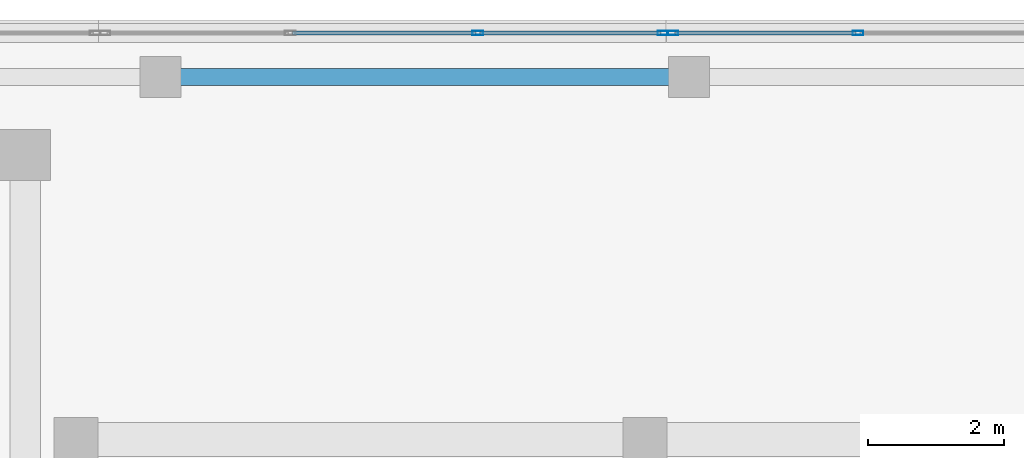
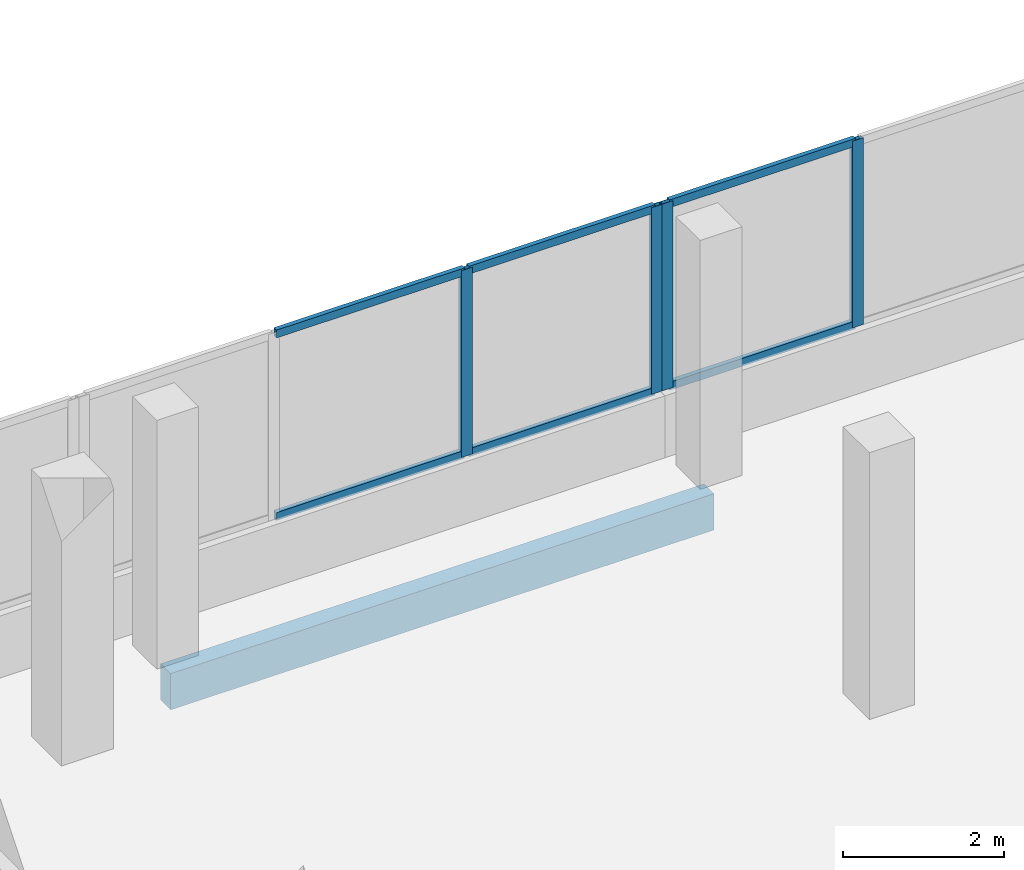
# One storey, part 54 of 78: 10 members, 1 beam, 2 elements without a shape of their own.
"""IFC4 building model written with IfcOpenShell, lengths in metres."""

from ifc_helpers import new_model, si_unit, direction, frame, origin, origin_2d, place, context, subcontext, project, spatial, rectangle, hollow_rectangle, extrude, material, material_profile, profile_set, type_object, element, aggregate, save


model = new_model("IFC4")

# Units and contexts
model_context = context("Model", 3, precision=1e-05, world=origin(), true_north=direction((0.0, 1.0)))
body_context = subcontext(model_context, "Body", "Model", "MODEL_VIEW")
ifc_project = project(units=[si_unit("LENGTHUNIT", "METRE"), si_unit("AREAUNIT", "SQUARE_METRE"), si_unit("VOLUMEUNIT", "CUBIC_METRE"), si_unit("PLANEANGLEUNIT", "RADIAN"), si_unit("MASSUNIT", "GRAM", prefix="KILO")], contexts=[model_context])

# Site, building, storey
site_placement = place(None, origin())
site = spatial("IfcSite", under=ifc_project, at=site_placement, CompositionType="ELEMENT")
building_placement = place(site_placement, origin())
building = spatial("IfcBuilding", under=site, at=building_placement, Name="Selatvlak General Hospital", CompositionType="ELEMENT")
storey_placement = place(building_placement, frame((0.0, 0.0, 23.25)))
storey = spatial("IfcBuildingStorey", under=building, at=storey_placement, Name="L05", CompositionType="ELEMENT", Elevation=23.25)

# Beam
ifc_material_1 = material(Name="Concrete C40/50", Category="concrete")
ifc_material_profile_1 = material_profile(ifc_material_1, rectangle(XDim=0.25, YDim=0.550048828125, at=origin_2d()), Name="RC-SP 250x550")
ifc_profile_set_1 = profile_set([ifc_material_profile_1], Name="Concrete C40/50")
beam_type = type_object("IfcBeamType", Name="BM-SP2", PredefinedType="SPANDREL", material=ifc_profile_set_1)
beam_placement = place(storey_placement, frame((149.39990234375, 119.35009765625, -0.554931640625), z_axis=(1.0, 0.0, 0.0), x_axis=(0.0, 1.0, 0.0)))
element("IfcBeam", 1, at=beam_placement, inside=storey, type_object=beam_type, Name="Beam BMR-L05-1985", PredefinedType="SPANDREL", context=body_context, shape_type="SweptSolid", body=[
    extrude(rectangle(XDim=0.25, YDim=0.550048828125, at=origin_2d()), origin(), (0.0, 0.0, 1.0), 7.800048828125),
])

# Curtain wall, members
ifc_material_2 = material(Name="Solar-control Low-E double glazing", Category="glass")
curtain_wall_type_1 = type_object("IfcCurtainWallType", Name="CW-CW-02", PredefinedType="USERDEFINED", material=ifc_material_2)
curtain_wall_1_placement = place(storey_placement, origin())
curtain_wall_1 = element("IfcCurtainWall", 2, at=curtain_wall_1_placement, inside=storey, type_object=curtain_wall_type_1, Name="Glazed facade curtain wall CW-L05-0562", ObjectType="UNITISED CURTAIN WALL", PredefinedType="USERDEFINED")
ifc_material_3 = material(Name="Dark anodised aluminium mullion", Category="aluminium")
ifc_material_profile_2 = material_profile(ifc_material_3, hollow_rectangle(XDim=0.06494140625, YDim=0.159912109375, WallThickness=0.00390625, at=origin_2d()), Name="AL-MUL 65x160x4")
ifc_profile_set_2 = profile_set([ifc_material_profile_2], Name="Dark anodised aluminium mullion")
member_type_1 = type_object("IfcMemberType", Name="CWM-01", PredefinedType="MULLION", material=ifc_profile_set_2)
member_1_placement = place(storey_placement, frame((154.08056640625, 120.0, 0.93994140625), z_axis=(0.0, 0.0, 1.0), x_axis=(0.0, 1.0, 0.0)))
member_1 = element("IfcMember", 3, at=member_1_placement, type_object=member_type_1, Name="CW-02 mullion 3", PredefinedType="MULLION", context=body_context, shape_type="SweptSolid", body=[
    extrude(hollow_rectangle(XDim=0.06494140625, YDim=0.159912109375, WallThickness=0.00390625, at=origin_2d()), origin(), (0.0, 0.0, 1.0), 2.8349609375),
])
member_2_placement = place(storey_placement, frame((156.814453125, 120.0, 0.93994140625), z_axis=(0.0, 0.0, 1.0), x_axis=(0.0, 1.0, 0.0)))
member_2 = element("IfcMember", 4, at=member_2_placement, type_object=member_type_1, Name="CW-02 mullion 4", PredefinedType="MULLION", context=body_context, shape_type="SweptSolid", body=[
    extrude(hollow_rectangle(XDim=0.06494140625, YDim=0.159912109375, WallThickness=0.00390625, at=origin_2d()), origin(), (0.0, 0.0, 1.0), 2.8349609375),
])

curtain_wall_type_2 = type_object("IfcCurtainWallType", Name="CW-CW-01", PredefinedType="USERDEFINED", material=ifc_material_2)
curtain_wall_2_placement = place(storey_placement, origin())
curtain_wall_2 = element("IfcCurtainWall", 5, at=curtain_wall_2_placement, inside=storey, type_object=curtain_wall_type_2, Name="Glazed facade curtain wall CW-L05-0563", ObjectType="UNITISED CURTAIN WALL", PredefinedType="USERDEFINED")
member_3_placement = place(storey_placement, frame((156.95947265625, 120.0, 0.93994140625), z_axis=(0.0, 0.0, 1.0), x_axis=(0.0, 1.0, 0.0)))
member_3 = element("IfcMember", 6, at=member_3_placement, type_object=member_type_1, Name="CW-01 mullion 1", PredefinedType="MULLION", context=body_context, shape_type="SweptSolid", body=[
    extrude(hollow_rectangle(XDim=0.06494140625, YDim=0.159912109375, WallThickness=0.00390625, at=origin_2d()), origin(), (0.0, 0.0, 1.0), 2.8349609375),
])
member_4_placement = place(storey_placement, frame((159.693359375, 120.0, 0.93994140625), z_axis=(0.0, 0.0, 1.0), x_axis=(0.0, 1.0, 0.0)))
member_4 = element("IfcMember", 7, at=member_4_placement, type_object=member_type_1, Name="CW-01 mullion 2", PredefinedType="MULLION", context=body_context, shape_type="SweptSolid", body=[
    extrude(hollow_rectangle(XDim=0.06494140625, YDim=0.159912109375, WallThickness=0.00390625, at=origin_2d()), origin(), (0.0, 0.0, 1.0), 2.8349609375),
])

# Member
ifc_material_profile_3 = material_profile(ifc_material_3, hollow_rectangle(XDim=0.06494140625, YDim=0.1201171875, WallThickness=0.00390625, at=origin_2d()), Name="AL-TRN 65x120x4")
ifc_profile_set_3 = profile_set([ifc_material_profile_3], Name="Dark anodised aluminium mullion")
member_type_2 = type_object("IfcMemberType", Name="CWT-01", PredefinedType="USERDEFINED", material=ifc_profile_set_3)
member_5_placement = place(storey_placement, frame((151.346923828125, 120.0, 0.972412109375), z_axis=(1.0, 0.0, 0.0), x_axis=(0.0, 1.0, 0.0)))
member_5 = element("IfcMember", 8, at=member_5_placement, type_object=member_type_2, Name="CW-02 transom 2.1", ObjectType="TRANSOM", PredefinedType="USERDEFINED", context=body_context, shape_type="SweptSolid", body=[
    extrude(hollow_rectangle(XDim=0.06494140625, YDim=0.1201171875, WallThickness=0.00390625, at=origin_2d()), origin(), (0.0, 0.0, 1.0), 2.701171875),
])

member_6_placement = place(storey_placement, frame((151.346923828125, 120.0, 3.742431640625), z_axis=(1.0, 0.0, 0.0), x_axis=(0.0, 1.0, 0.0)))
member_6 = element("IfcMember", 9, at=member_6_placement, type_object=member_type_2, Name="CW-02 transom 2.2", ObjectType="TRANSOM", PredefinedType="USERDEFINED", context=body_context, shape_type="SweptSolid", body=[
    extrude(hollow_rectangle(XDim=0.06494140625, YDim=0.1201171875, WallThickness=0.00390625, at=origin_2d()), origin(), (0.0, 0.0, 1.0), 2.701171875),
])

member_7_placement = place(storey_placement, frame((154.11328125, 120.0, 0.972412109375), z_axis=(1.0, 0.0, 0.0), x_axis=(0.0, 1.0, 0.0)))
member_7 = element("IfcMember", 10, at=member_7_placement, type_object=member_type_2, Name="CW-02 transom 3.1", ObjectType="TRANSOM", PredefinedType="USERDEFINED", context=body_context, shape_type="SweptSolid", body=[
    extrude(hollow_rectangle(XDim=0.06494140625, YDim=0.1201171875, WallThickness=0.00390625, at=origin_2d()), origin(), (0.0, 0.0, 1.0), 2.668701171875),
])

member_8_placement = place(storey_placement, frame((154.11328125, 120.0, 3.742431640625), z_axis=(1.0, 0.0, 0.0), x_axis=(0.0, 1.0, 0.0)))
member_8 = element("IfcMember", 11, at=member_8_placement, type_object=member_type_2, Name="CW-02 transom 3.2", ObjectType="TRANSOM", PredefinedType="USERDEFINED", context=body_context, shape_type="SweptSolid", body=[
    extrude(hollow_rectangle(XDim=0.06494140625, YDim=0.1201171875, WallThickness=0.00390625, at=origin_2d()), origin(), (0.0, 0.0, 1.0), 2.668701171875),
])

aggregate(curtain_wall_1, [member_1, member_2, member_5, member_6, member_7, member_8])

member_9_placement = place(storey_placement, frame((156.991943359375, 120.0, 0.972412109375), z_axis=(1.0, 0.0, 0.0), x_axis=(0.0, 1.0, 0.0)))
member_9 = element("IfcMember", 12, at=member_9_placement, type_object=member_type_2, Name="CW-01 transom 1.1", ObjectType="TRANSOM", PredefinedType="USERDEFINED", context=body_context, shape_type="SweptSolid", body=[
    extrude(hollow_rectangle(XDim=0.06494140625, YDim=0.1201171875, WallThickness=0.00390625, at=origin_2d()), origin(), (0.0, 0.0, 1.0), 2.6689453125),
])

member_10_placement = place(storey_placement, frame((156.991943359375, 120.0, 3.742431640625), z_axis=(1.0, 0.0, 0.0), x_axis=(0.0, 1.0, 0.0)))
member_10 = element("IfcMember", 13, at=member_10_placement, type_object=member_type_2, Name="CW-01 transom 1.2", ObjectType="TRANSOM", PredefinedType="USERDEFINED", context=body_context, shape_type="SweptSolid", body=[
    extrude(hollow_rectangle(XDim=0.06494140625, YDim=0.1201171875, WallThickness=0.00390625, at=origin_2d()), origin(), (0.0, 0.0, 1.0), 2.6689453125),
])

aggregate(curtain_wall_2, [member_3, member_4, member_9, member_10])

save(model, "model.ifc")
